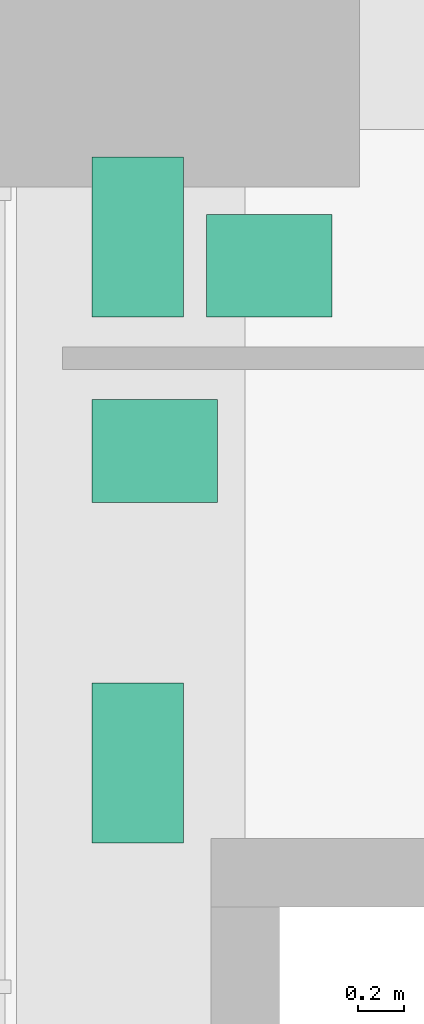
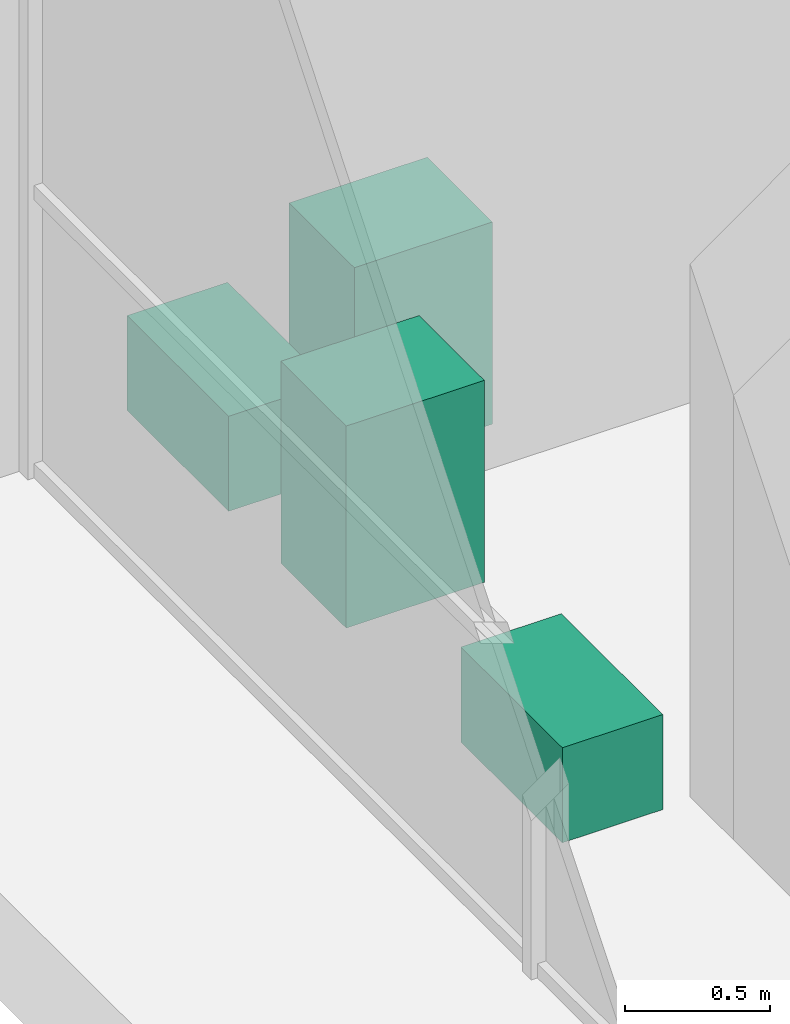
# One storey, part 43 of 44: 4 sanitary terminals.
"""IFC4 building model written with IfcOpenShell, lengths in metres."""

from ifc_helpers import new_model, si_unit, direction, frame, origin, origin_2d, place, context, subcontext, project, spatial, rectangle, extrude, material, type_object, element, save


model = new_model("IFC4")

# Units and contexts
model_context = context("Model", 3, precision=1e-05, world=origin(), true_north=direction((0.0, 1.0)))
body_context = subcontext(model_context, "Body", "Model", "MODEL_VIEW")
ifc_project = project(units=[si_unit("LENGTHUNIT", "METRE"), si_unit("AREAUNIT", "SQUARE_METRE"), si_unit("VOLUMEUNIT", "CUBIC_METRE"), si_unit("PLANEANGLEUNIT", "RADIAN"), si_unit("MASSUNIT", "GRAM", prefix="KILO")], contexts=[model_context])

# Site, building, storey
site_placement = place(None, origin())
site = spatial("IfcSite", under=ifc_project, at=site_placement, CompositionType="ELEMENT")
building_placement = place(site_placement, origin())
building = spatial("IfcBuilding", under=site, at=building_placement, Name="Firuza Court", CompositionType="ELEMENT")
storey_placement = place(building_placement, origin())
storey = spatial("IfcBuildingStorey", under=building, at=storey_placement, Name="L00", CompositionType="ELEMENT", Elevation=0.0)

# Sanitary terminals
ifc_material_1 = material(Name="Vitreous china", Category="ceramic")
sanitary_terminal_type_1 = type_object("IfcSanitaryTerminalType", Name="Fixture WC pan", PredefinedType="TOILETPAN", material=ifc_material_1)
for number, where, z_axis, x_axis, name in (
    (1, (0.030029296875, 14.47998046875, 0.0), (0.0, 0.0, 1.0), (1.0, 0.0, 0.0), "WC pan"),
    (2, (0.030029296875, 16.780029296875, 0.0), (0.0, 0.0, 1.0), (1.0, 0.0, 0.0), "WC pan"),
):
    element("IfcSanitaryTerminal", number, at=place(storey_placement, frame(where, z_axis=z_axis, x_axis=x_axis)), inside=storey, type_object=sanitary_terminal_type_1, Name=name, PredefinedType="TOILETPAN", context=body_context, shape_type="SweptSolid", body=[
        extrude(rectangle(XDim=0.39990234375, YDim=0.699951171875, at=origin_2d()), origin(), (0.0, 0.0, 1.0), 0.39990234375),
    ])
ifc_material_2 = material(Name="Vitreous china", Category="ceramic")
sanitary_terminal_type_2 = type_object("IfcSanitaryTerminalType", Name="Fixture Washbasin", PredefinedType="WASHHANDBASIN", material=ifc_material_2)
for number, where, z_axis, x_axis, name in (
    (3, (0.10498046875, 15.844970703125, 0.0), (0.0, 0.0, 1.0), (1.0, 0.0, 0.0), "Washbasin"),
    (4, (0.60498046875, 16.655029296875, 0.0), (0.0, 0.0, 1.0), (1.0, 0.0, 0.0), "Washbasin"),
):
    element("IfcSanitaryTerminal", number, at=place(storey_placement, frame(where, z_axis=z_axis, x_axis=x_axis)), inside=storey, type_object=sanitary_terminal_type_2, Name=name, PredefinedType="WASHHANDBASIN", context=body_context, shape_type="SweptSolid", body=[
        extrude(rectangle(XDim=0.550048828125, YDim=0.449951171875, at=origin_2d()), origin(), (0.0, 0.0, 1.0), 0.85009765625),
    ])

save(model, "model.ifc")
